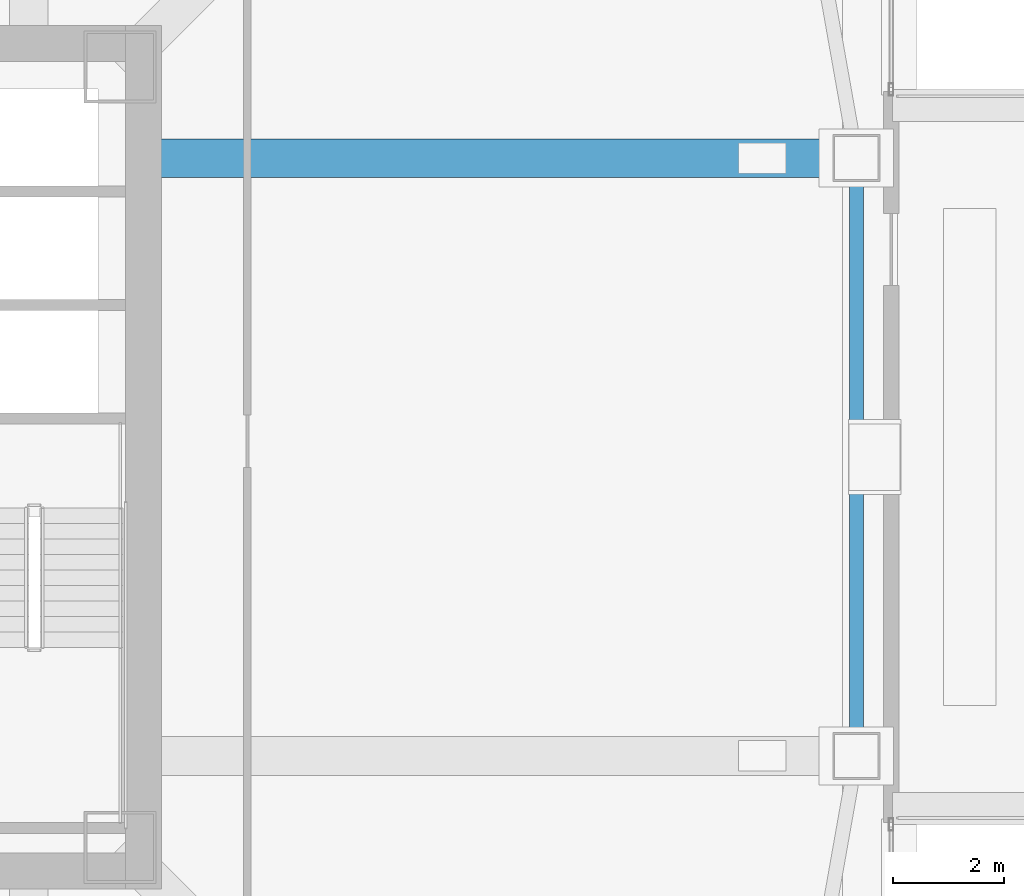
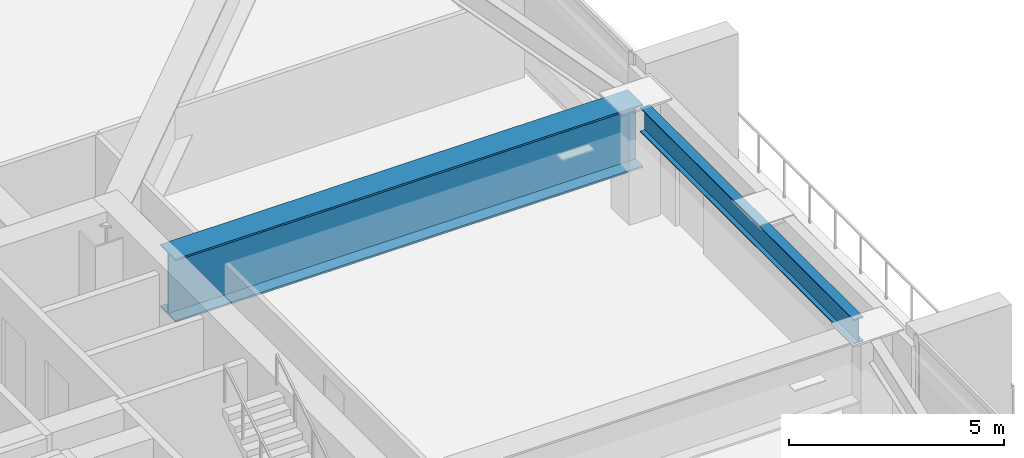
# One storey, part 10 of 49: 2 beams.
"""IFC4 building model written with IfcOpenShell, lengths in metres."""

from ifc_helpers import new_model, si_unit, direction, frame, origin, origin_2d, place, context, subcontext, project, spatial, i_section, extrude, material, material_profile, profile_set, type_object, element, save


model = new_model("IFC4")

# Units and contexts
model_context = context("Model", 3, precision=1e-05, world=origin(), true_north=direction((0.0, 1.0)))
body_context = subcontext(model_context, "Body", "Model", "MODEL_VIEW")
ifc_project = project(units=[si_unit("LENGTHUNIT", "METRE"), si_unit("AREAUNIT", "SQUARE_METRE"), si_unit("VOLUMEUNIT", "CUBIC_METRE"), si_unit("PLANEANGLEUNIT", "RADIAN"), si_unit("MASSUNIT", "GRAM", prefix="KILO")], contexts=[model_context])

# Site, building, storey
site_placement = place(None, origin())
site = spatial("IfcSite", under=ifc_project, at=site_placement, CompositionType="ELEMENT")
building_placement = place(site_placement, origin())
building = spatial("IfcBuilding", under=site, at=building_placement, Name="Tashvorn Skyway Center", CompositionType="ELEMENT")
storey_placement = place(building_placement, frame((0.0, 0.0, 106.25)))
storey = spatial("IfcBuildingStorey", under=building, at=storey_placement, Name="L28", CompositionType="ELEMENT", Elevation=106.25)

# Beams
ifc_material_1 = material(Name="Steel ASTM A572 Grade 50", Category="steel")
ifc_material_profile_1 = material_profile(ifc_material_1, i_section(OverallWidth=0.699951171875, OverallDepth=1.800048828125, WebThickness=0.031982421875, FlangeThickness=0.050048828125, at=origin_2d()), Name="PG1800x700")
ifc_profile_set_1 = profile_set([ifc_material_profile_1], Name="Steel ASTM A572 Grade 50")
beam_type_1 = type_object("IfcBeamType", Name="BM-BEAM-PG1800x700", PredefinedType="BEAM", material=ifc_profile_set_1)
beam_1_placement = place(storey_placement, frame((62.35009765625, 37.39990234375, 2.35009765625), z_axis=(-1.0, 0.0, 0.0), x_axis=(0.0, -1.0, 0.0)))
element("IfcBeam", 1, at=beam_1_placement, inside=storey, type_object=beam_type_1, Name="Tower 1 L28 Setback Transfer Girder FC-E2", PredefinedType="BEAM", context=body_context, shape_type="SweptSolid", body=[
    extrude(i_section(OverallWidth=0.699951171875, OverallDepth=1.800048828125, WebThickness=0.031982421875, FlangeThickness=0.050048828125, at=origin_2d()), origin(), (0.0, 0.0, 1.0), 12.570068359375),
])
ifc_material_2 = material(Name="Steel ASTM A992 Grade 50", Category="steel")
ifc_material_profile_2 = material_profile(ifc_material_2, i_section(OverallWidth=0.256103515625, OverallDepth=0.693115234375, WebThickness=0.014404296875, FlangeThickness=0.023681640625, at=origin_2d()), Name="W27X114")
ifc_profile_set_2 = profile_set([ifc_material_profile_2], Name="Steel ASTM A992 Grade 50")
beam_type_2 = type_object("IfcBeamType", Name="BM-SPANDREL-W27X114", PredefinedType="SPANDREL", material=ifc_profile_set_2)
beam_2_placement = place(storey_placement, frame((62.35009765625, 27.02001953125, 2.903564453125), z_axis=(0.0, 1.0, 0.0), x_axis=(-1.0, 0.0, 0.0)))
element("IfcBeam", 2, at=beam_2_placement, inside=storey, type_object=beam_type_2, Name="Tower 1 L28 Spandrel Beam 05", PredefinedType="SPANDREL", context=body_context, shape_type="SweptSolid", body=[
    extrude(i_section(OverallWidth=0.256103515625, OverallDepth=0.693115234375, WebThickness=0.014404296875, FlangeThickness=0.023681640625, at=origin_2d()), origin(), (0.0, 0.0, 1.0), 9.9599609375),
])

save(model, "model.ifc")
